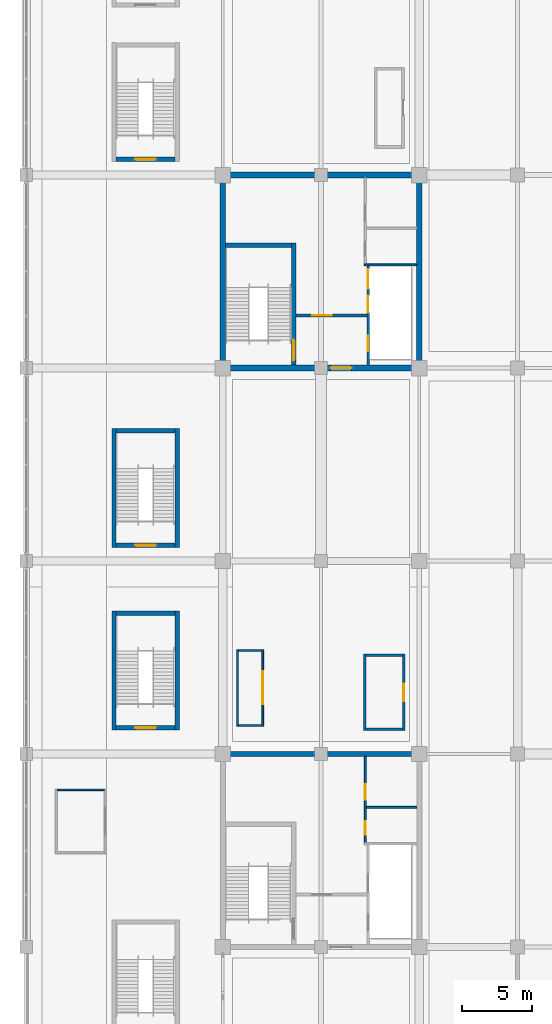
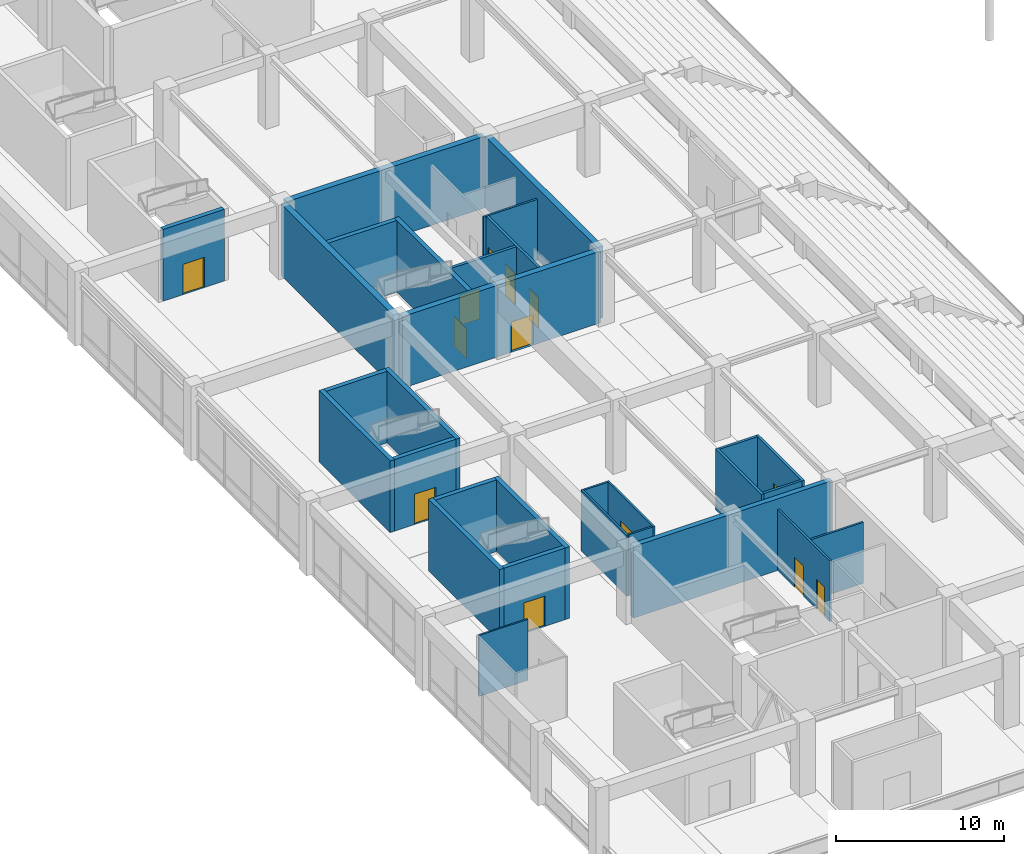
# One storey, part 90 of 117: 30 walls, 13 doors, 13 openings.
"""IFC4 building model written with IfcOpenShell, lengths in metres."""

from ifc_helpers import new_model, si_unit, direction, frame, frame_2d, origin, place, context, subcontext, project, spatial, rectangle, extrude, material, layer, layer_set, type_object, element, fill, save


model = new_model("IFC4")

# Units and contexts
model_context = context("Model", 3, precision=1e-05, world=origin(), true_north=direction((0.0, 1.0)))
body_context = subcontext(model_context, "Body", "Model", "MODEL_VIEW")
ifc_project = project(units=[si_unit("LENGTHUNIT", "METRE"), si_unit("AREAUNIT", "SQUARE_METRE"), si_unit("VOLUMEUNIT", "CUBIC_METRE"), si_unit("PLANEANGLEUNIT", "RADIAN"), si_unit("MASSUNIT", "GRAM", prefix="KILO")], contexts=[model_context])

# Site, building, storey
site_placement = place(None, origin())
site = spatial("IfcSite", under=ifc_project, at=site_placement, CompositionType="ELEMENT")
building_placement = place(site_placement, origin())
building = spatial("IfcBuilding", under=site, at=building_placement, Name="Linyun Crest Stadium", CompositionType="ELEMENT")
storey_placement = place(building_placement, frame((0.0, 0.0, 6.0)))
storey = spatial("IfcBuildingStorey", under=building, at=storey_placement, Name="L02", CompositionType="ELEMENT", Elevation=6.0)

# Walls
ifc_material_1 = material(Name="Concrete C50", Category="concrete")
ifc_layer_1 = layer(ifc_material_1, 0.35009765625)
ifc_layer_set_1 = layer_set([ifc_layer_1], Name="Concrete C50")
wall_type_1 = type_object("IfcWallType", Name="CW01", PredefinedType="SHEAR", material=ifc_layer_set_1)
wall_1_placement = place(storey_placement, frame((-83.824951171875, -25.375, 0.0), z_axis=(0.0, 0.0, 1.0), x_axis=(1.0, 0.0, 0.0)))
element("IfcWall", 1, at=wall_1_placement, inside=storey, type_object=wall_type_1, Name="Core shear wall CW01 CORE-W1 L02.4", PredefinedType="SHEAR", context=body_context, shape_type="SweptSolid", body=[
    extrude(rectangle(XDim=13.64990234375, YDim=0.35009765625, at=frame_2d((6.824951171875, 0.0))), origin(), (0.0, 0.0, 1.0), 5.199951171875),
])
ifc_material_2 = material(Name="Concrete C50", Category="concrete")
ifc_layer_2 = layer(ifc_material_2, 0.39990234375)
ifc_layer_set_2 = layer_set([ifc_layer_2], Name="Concrete C50")
wall_type_2 = type_object("IfcWallType", Name="CW02", PredefinedType="SHEAR", material=ifc_layer_set_2)
for number, where, z_axis, x_axis, name in (
    (2, (-84.0, 2.324951171875, 0.0), (0.0, 0.0, 1.0), (0.0, 1.0, 0.0), "Core shear wall CW02 CORE-W2 L02.1"),
    (3, (-70.0, 2.324951171875, 0.0), (0.0, 0.0, 1.0), (0.0, 1.0, 0.0), "Core shear wall CW02 CORE-W2 L02.2"),
):
    element("IfcWall", number, at=place(storey_placement, frame(where, z_axis=z_axis, x_axis=x_axis)), inside=storey, type_object=wall_type_2, Name=name, PredefinedType="SHEAR", context=body_context, shape_type="SweptSolid", body=[
        extrude(rectangle(XDim=13.35009765625, YDim=0.39990234375, at=frame_2d((6.675048828125, 0.0))), origin(), (0.0, 0.0, 1.0), 5.199951171875),
    ])

# Wall, opening, door
wall_2_placement = place(storey_placement, frame((-83.800048828125, 2.125, 0.0), z_axis=(0.0, 0.0, 1.0), x_axis=(1.0, 0.0, 0.0)))
wall_2 = element("IfcWall", 4, at=wall_2_placement, inside=storey, type_object=wall_type_2, Name="Core shear wall CW02 CORE-W2 L02.3", PredefinedType="SHEAR", context=body_context, shape_type="SweptSolid", body=[
    extrude(rectangle(XDim=13.60009765625, YDim=0.39990234375, at=frame_2d((6.800048828125, 0.0))), origin(), (0.0, 0.0, 1.0), 5.199951171875),
])
opening_1_placement = place(wall_2_placement, frame((7.47998046875, 0.0, 0.0)))
opening_1 = element("IfcOpeningElement", 5, at=opening_1_placement, cuts=wall_2, Name="Opening D-L02-066", PredefinedType="OPENING", context=body_context, shape_type="SweptSolid", body=[
    extrude(rectangle(XDim=1.5, YDim=2.199951171875, at=frame_2d((0.75, 1.10009765625))), frame((0.0, 0.2099609375, 0.0), z_axis=(0.0, -1.0, 0.0), x_axis=(1.0, 0.0, 0.0)), (0.0, 0.0, 1.0), 0.419921875),
])
ifc_material_3 = material(Name="Galvanized steel Class A fire door", Category="steel")
ifc_layer_3 = layer(ifc_material_3, 0.054931640625)
ifc_layer_set_3 = layer_set([ifc_layer_3], Name="Galvanized steel Class A fire door")
door_type_1 = type_object("IfcDoorType", Name="FD01", OperationType="NOTDEFINED", PredefinedType="DOOR", material=ifc_layer_set_3)
door_1_placement = place(opening_1_placement, origin())
door_1 = element("IfcDoor", 6, at=door_1_placement, inside=storey, type_object=door_type_1, Name="Door D-L02-066", OperationType="SINGLE_SWING_RIGHT", OverallHeight=2.199951171875, OverallWidth=1.5, PredefinedType="DOOR", context=body_context, shape_type="SweptSolid", body=[
    extrude(rectangle(XDim=1.5, YDim=2.199951171875, at=frame_2d((0.75, 1.10009765625))), frame((0.0, 0.02490234375, 0.0), z_axis=(0.0, -1.0, 0.0), x_axis=(1.0, 0.0, 0.0)), (0.0, 0.0, 1.0), 0.050048828125),
])
fill(opening_1, door_1)

# Wall
wall_3_placement = place(storey_placement, frame((-83.800048828125, 15.875, 0.0), z_axis=(0.0, 0.0, 1.0), x_axis=(1.0, 0.0, 0.0)))
element("IfcWall", 7, at=wall_3_placement, inside=storey, type_object=wall_type_2, Name="Core shear wall CW02 CORE-W2 L02.4", PredefinedType="SHEAR", context=body_context, shape_type="SweptSolid", body=[
    extrude(rectangle(XDim=13.60009765625, YDim=0.39990234375, at=frame_2d((6.800048828125, 0.0))), origin(), (0.0, 0.0, 1.0), 5.199951171875),
])

# Wall, opening, door
ifc_material_4 = material(Name="Autoclaved aerated concrete block with fireboard", Category="concrete")
ifc_layer_4 = layer(ifc_material_4, 0.199951171875)
ifc_layer_set_4 = layer_set([ifc_layer_4], Name="Autoclaved aerated concrete block with fireboard")
wall_type_3 = type_object("IfcWallType", Name="PW11", PredefinedType="PARTITIONING", material=ifc_layer_set_4)
wall_4_placement = place(storey_placement, frame((-78.800048828125, 5.875, 0.0), z_axis=(0.0, 0.0, 1.0), x_axis=(1.0, 0.0, 0.0)))
wall_4 = element("IfcWall", 8, at=wall_4_placement, inside=storey, type_object=wall_type_3, Name="Partition PW11 L02 28", PredefinedType="PARTITIONING", context=body_context, shape_type="SweptSolid", body=[
    extrude(rectangle(XDim=5.06005859375, YDim=0.199951171875, at=frame_2d((2.530029296875, 0.0))), origin(), (0.0, 0.0, 1.0), 4.419921875),
])
opening_2_placement = place(wall_4_placement, frame((1.169921875, 0.0, 0.0)))
opening_2 = element("IfcOpeningElement", 9, at=opening_2_placement, cuts=wall_4, Name="Opening D-L02-068", PredefinedType="OPENING", context=body_context, shape_type="SweptSolid", body=[
    extrude(rectangle(XDim=1.39990234375, YDim=2.199951171875, at=frame_2d((0.699951171875, 1.10009765625))), frame((0.0, 0.10986328125, 0.0), z_axis=(0.0, -1.0, 0.0), x_axis=(1.0, 0.0, 0.0)), (0.0, 0.0, 1.0), 0.219970703125),
])
ifc_material_5 = material(Name="Galvanized steel Class B fire door", Category="steel")
ifc_layer_5 = layer(ifc_material_5, 0.054931640625)
ifc_layer_set_5 = layer_set([ifc_layer_5], Name="Galvanized steel Class B fire door")
door_type_2 = type_object("IfcDoorType", Name="FD03", OperationType="NOTDEFINED", PredefinedType="DOOR", material=ifc_layer_set_5)
door_2_placement = place(opening_2_placement, origin())
door_2 = element("IfcDoor", 10, at=door_2_placement, inside=storey, type_object=door_type_2, Name="Door D-L02-068", OperationType="SINGLE_SWING_RIGHT", OverallHeight=2.199951171875, OverallWidth=1.39990234375, PredefinedType="DOOR", context=body_context, shape_type="SweptSolid", body=[
    extrude(rectangle(XDim=1.39990234375, YDim=2.199951171875, at=frame_2d((0.699951171875, 1.10009765625))), frame((0.0, 0.02490234375, 0.0), z_axis=(0.0, -1.0, 0.0), x_axis=(1.0, 0.0, 0.0)), (0.0, 0.0, 1.0), 0.050048828125),
])
fill(opening_2, door_2)

# Wall, openings, doors
ifc_material_6 = material(Name="Autoclaved aerated concrete block fire partition", Category="concrete")
ifc_layer_6 = layer(ifc_material_6, 0.179931640625)
ifc_layer_set_6 = layer_set([ifc_layer_6], Name="Autoclaved aerated concrete block fire partition")
wall_type_4 = type_object("IfcWallType", Name="PW12", PredefinedType="PARTITIONING", material=ifc_layer_set_6)
wall_5_placement = place(storey_placement, frame((-73.64990234375, 2.324951171875, 0.0), z_axis=(0.0, 0.0, 1.0), x_axis=(0.0, 1.0, 0.0)))
wall_5 = element("IfcWall", 11, at=wall_5_placement, inside=storey, type_object=wall_type_4, Name="Partition PW12 L02 29", PredefinedType="PARTITIONING", context=body_context, shape_type="SweptSolid", body=[
    extrude(rectangle(XDim=7.080078125, YDim=0.179931640625, at=frame_2d((3.5400390625, 0.0))), origin(), (0.0, 0.0, 1.0), 4.419921875),
])
opening_3_placement = place(wall_5_placement, frame((1.0, 0.0, 0.0)))
opening_3 = element("IfcOpeningElement", 12, at=opening_3_placement, cuts=wall_5, Name="Opening LD021", PredefinedType="OPENING", context=body_context, shape_type="SweptSolid", body=[
    extrude(rectangle(XDim=1.10009765625, YDim=2.199951171875, at=frame_2d((0.550048828125, 1.10009765625))), frame((0.0, 0.099853515625, 0.0), z_axis=(0.0, -1.0, 0.0), x_axis=(1.0, 0.0, 0.0)), (0.0, 0.0, 1.0), 0.199951171875),
])
opening_4_placement = place(wall_5_placement, frame((3.75, 0.0, 0.0)))
opening_4 = element("IfcOpeningElement", 13, at=opening_4_placement, cuts=wall_5, Name="Opening LD022", PredefinedType="OPENING", context=body_context, shape_type="SweptSolid", body=[
    extrude(rectangle(XDim=1.199951171875, YDim=2.25, at=frame_2d((0.60009765625, 1.125))), frame((0.0, 0.099853515625, 0.0), z_axis=(0.0, -1.0, 0.0), x_axis=(1.0, 0.0, 0.0)), (0.0, 0.0, 1.0), 0.199951171875),
])
opening_5_placement = place(wall_5_placement, frame((5.449951171875, 0.0, 0.0)))
opening_5 = element("IfcOpeningElement", 14, at=opening_5_placement, cuts=wall_5, Name="Opening LD023", PredefinedType="OPENING", context=body_context, shape_type="SweptSolid", body=[
    extrude(rectangle(XDim=1.39990234375, YDim=2.300048828125, at=frame_2d((0.699951171875, 1.14990234375))), frame((0.0, 0.099853515625, 0.0), z_axis=(0.0, -1.0, 0.0), x_axis=(1.0, 0.0, 0.0)), (0.0, 0.0, 1.0), 0.199951171875),
])
ifc_material_7 = material(Name="Brushed stainless sliding lift door")
ifc_layer_7 = layer(ifc_material_7, 0.050048828125)
ifc_layer_set_7 = layer_set([ifc_layer_7], Name="Brushed stainless sliding lift door")
door_type_3 = type_object("IfcDoorType", Name="LD01", OperationType="NOTDEFINED", PredefinedType="DOOR", material=ifc_layer_set_7)
door_3_placement = place(opening_3_placement, origin())
door_3 = element("IfcDoor", 15, at=door_3_placement, inside=storey, type_object=door_type_3, Name="Lift landing door LD021", OperationType="DOUBLE_DOOR_SLIDING", OverallHeight=2.199951171875, OverallWidth=1.10009765625, PredefinedType="DOOR", context=body_context, shape_type="SweptSolid", body=[
    extrude(rectangle(XDim=1.10009765625, YDim=2.199951171875, at=frame_2d((0.550048828125, 1.10009765625))), frame((0.0, 0.02490234375, 0.0), z_axis=(0.0, -1.0, 0.0), x_axis=(1.0, 0.0, 0.0)), (0.0, 0.0, 1.0), 0.050048828125),
])
fill(opening_3, door_3)
ifc_material_8 = material(Name="Brushed stainless sliding lift door")
ifc_layer_8 = layer(ifc_material_8, 0.050048828125)
ifc_layer_set_8 = layer_set([ifc_layer_8], Name="Brushed stainless sliding lift door")
door_type_4 = type_object("IfcDoorType", Name="LD02", OperationType="NOTDEFINED", PredefinedType="DOOR", material=ifc_layer_set_8)
door_4_placement = place(opening_4_placement, origin())
door_4 = element("IfcDoor", 16, at=door_4_placement, inside=storey, type_object=door_type_4, Name="Lift landing door LD022", OperationType="DOUBLE_DOOR_SLIDING", OverallHeight=2.25, OverallWidth=1.199951171875, PredefinedType="DOOR", context=body_context, shape_type="SweptSolid", body=[
    extrude(rectangle(XDim=1.199951171875, YDim=2.25, at=frame_2d((0.60009765625, 1.125))), frame((0.0, 0.02490234375, 0.0), z_axis=(0.0, -1.0, 0.0), x_axis=(1.0, 0.0, 0.0)), (0.0, 0.0, 1.0), 0.050048828125),
])
fill(opening_4, door_4)
ifc_material_9 = material(Name="Heavy-duty stainless sliding door")
ifc_layer_9 = layer(ifc_material_9, 0.054931640625)
ifc_layer_set_9 = layer_set([ifc_layer_9], Name="Heavy-duty stainless sliding door")
door_type_5 = type_object("IfcDoorType", Name="LD03", OperationType="NOTDEFINED", PredefinedType="DOOR", material=ifc_layer_set_9)
door_5_placement = place(opening_5_placement, origin())
door_5 = element("IfcDoor", 17, at=door_5_placement, inside=storey, type_object=door_type_5, Name="Lift landing door LD023", OperationType="DOUBLE_DOOR_SLIDING", OverallHeight=2.300048828125, OverallWidth=1.39990234375, PredefinedType="DOOR", context=body_context, shape_type="SweptSolid", body=[
    extrude(rectangle(XDim=1.39990234375, YDim=2.300048828125, at=frame_2d((0.699951171875, 1.14990234375))), frame((0.0, 0.02490234375, 0.0), z_axis=(0.0, -1.0, 0.0), x_axis=(1.0, 0.0, 0.0)), (0.0, 0.0, 1.0), 0.050048828125),
])
fill(opening_5, door_5)

ifc_material_10 = material(Name="Moisture-resistant ceramic-tiled wet-room wall")
ifc_layer_10 = layer(ifc_material_10, 0.139892578125)
ifc_layer_set_10 = layer_set([ifc_layer_10], Name="Moisture-resistant ceramic-tiled wet-room wall")
wall_type_5 = type_object("IfcWallType", Name="PW15", PredefinedType="PARTITIONING", material=ifc_layer_set_10)
wall_6_placement = place(storey_placement, frame((-73.85009765625, -31.705078125, 0.0), z_axis=(0.0, 0.0, 1.0), x_axis=(0.0, 1.0, 0.0)))
wall_6 = element("IfcWall", 18, at=wall_6_placement, inside=storey, type_object=wall_type_5, Name="Partition PW15 L02 9", PredefinedType="PARTITIONING", context=body_context, shape_type="SweptSolid", body=[
    extrude(rectangle(XDim=6.155029296875, YDim=0.139892578125, at=frame_2d((3.07763671875, 0.0))), origin(), (0.0, 0.0, 1.0), 4.419921875),
])
opening_6_placement = place(wall_6_placement, frame((0.580078125, 0.0, 0.0)))
opening_6 = element("IfcOpeningElement", 19, at=opening_6_placement, cuts=wall_6, Name="Opening D-L02-020", PredefinedType="OPENING", context=body_context, shape_type="SweptSolid", body=[
    extrude(rectangle(XDim=0.949951171875, YDim=2.14990234375, at=frame_2d((0.47509765625, 1.074951171875))), frame((0.0, 0.079833984375, 0.0), z_axis=(0.0, -1.0, 0.0), x_axis=(1.0, 0.0, 0.0)), (0.0, 0.0, 1.0), 0.159912109375),
])
opening_7_placement = place(wall_6_placement, frame((3.080078125, 0.0, 0.0)))
opening_7 = element("IfcOpeningElement", 20, at=opening_7_placement, cuts=wall_6, Name="Opening D-L02-021", PredefinedType="OPENING", context=body_context, shape_type="SweptSolid", body=[
    extrude(rectangle(XDim=1.10009765625, YDim=2.14990234375, at=frame_2d((0.550048828125, 1.074951171875))), frame((0.0, 0.079833984375, 0.0), z_axis=(0.0, -1.0, 0.0), x_axis=(1.0, 0.0, 0.0)), (0.0, 0.0, 1.0), 0.159912109375),
])
ifc_material_11 = material(Name="Moisture-resistant laminate leaf")
ifc_layer_11 = layer(ifc_material_11, 0.044921875)
ifc_layer_set_11 = layer_set([ifc_layer_11], Name="Moisture-resistant laminate leaf")
door_type_6 = type_object("IfcDoorType", Name="ID02", OperationType="NOTDEFINED", PredefinedType="DOOR", material=ifc_layer_set_11)
door_6_placement = place(opening_6_placement, origin())
door_6 = element("IfcDoor", 21, at=door_6_placement, inside=storey, type_object=door_type_6, Name="Door D-L02-020", OperationType="SINGLE_SWING_RIGHT", OverallHeight=2.14990234375, OverallWidth=0.949951171875, PredefinedType="DOOR", context=body_context, shape_type="SweptSolid", body=[
    extrude(rectangle(XDim=0.949951171875, YDim=2.14990234375, at=frame_2d((0.47509765625, 1.074951171875))), frame((0.0, 0.02490234375, 0.0), z_axis=(0.0, -1.0, 0.0), x_axis=(1.0, 0.0, 0.0)), (0.0, 0.0, 1.0), 0.050048828125),
])
fill(opening_6, door_6)
ifc_material_12 = material(Name="Moisture-resistant laminate leaf")
ifc_layer_12 = layer(ifc_material_12, 0.044921875)
ifc_layer_set_12 = layer_set([ifc_layer_12], Name="Moisture-resistant laminate leaf")
door_type_7 = type_object("IfcDoorType", Name="ID03", OperationType="NOTDEFINED", PredefinedType="DOOR", material=ifc_layer_set_12)
door_7_placement = place(opening_7_placement, origin())
door_7 = element("IfcDoor", 22, at=door_7_placement, inside=storey, type_object=door_type_7, Name="Door D-L02-021", OperationType="SINGLE_SWING_LEFT", OverallHeight=2.14990234375, OverallWidth=1.10009765625, PredefinedType="DOOR", context=body_context, shape_type="SweptSolid", body=[
    extrude(rectangle(XDim=1.10009765625, YDim=2.14990234375, at=frame_2d((0.550048828125, 1.074951171875))), frame((0.0, 0.02490234375, 0.0), z_axis=(0.0, -1.0, 0.0), x_axis=(1.0, 0.0, 0.0)), (0.0, 0.0, 1.0), 0.050048828125),
])
fill(opening_7, door_7)

# Walls
wall_7_placement = place(storey_placement, frame((-73.780029296875, -29.175048828125, 0.0), z_axis=(0.0, 0.0, 1.0), x_axis=(1.0, 0.0, 0.0)))
element("IfcWall", 23, at=wall_7_placement, inside=storey, type_object=wall_type_5, Name="Enclosure partition PW15 L02 6", PredefinedType="PARTITIONING", context=body_context, shape_type="SweptSolid", body=[
    extrude(rectangle(XDim=3.60498046875, YDim=0.139892578125, at=frame_2d((1.802490234375, 0.0))), origin(), (0.0, 0.0, 1.0), 4.419921875),
])
wall_8_placement = place(storey_placement, frame((-73.919921875, 9.47509765625, 0.0), z_axis=(0.0, 0.0, 1.0), x_axis=(1.0, 0.0, 0.0)))
element("IfcWall", 24, at=wall_8_placement, inside=storey, type_object=wall_type_5, Name="Enclosure partition PW15 L02 19", PredefinedType="PARTITIONING", context=body_context, shape_type="SweptSolid", body=[
    extrude(rectangle(XDim=3.719970703125, YDim=0.139892578125, at=frame_2d((1.85986328125, 0.0))), origin(), (0.0, 0.0, 1.0), 4.419921875),
])

# Wall, opening, door
ifc_material_13 = material(Name="Steel-stud hospitality suite partition", Category="steel")
ifc_layer_13 = layer(ifc_material_13, 0.125)
ifc_layer_set_13 = layer_set([ifc_layer_13], Name="Steel-stud hospitality suite partition")
wall_type_6 = type_object("IfcWallType", Name="PW17", PredefinedType="PARTITIONING", material=ifc_layer_set_13)
wall_9_placement = place(storey_placement, frame((-81.160888671875, -17.930908203125, 0.0), z_axis=(0.0, 0.0, 1.0), x_axis=(0.0, -1.0, 0.0)))
wall_9 = element("IfcWall", 25, at=wall_9_placement, inside=storey, type_object=wall_type_6, Name="Partition PW17 L02 254", PredefinedType="PARTITIONING", context=body_context, shape_type="SweptSolid", body=[
    extrude(rectangle(XDim=5.469970703125, YDim=0.125, at=frame_2d((2.73486328125, 0.0))), origin(), (0.0, 0.0, 1.0), 4.419921875),
])
opening_8_placement = place(wall_9_placement, frame((1.56005859375, 0.0, 0.0)))
opening_8 = element("IfcOpeningElement", 26, at=opening_8_placement, cuts=wall_9, Name="Opening D-L02-517", PredefinedType="OPENING", context=body_context, shape_type="SweptSolid", body=[
    extrude(rectangle(XDim=2.35009765625, YDim=2.5, at=frame_2d((1.175048828125, 1.25))), frame((0.0, 0.072509765625, 0.0), z_axis=(0.0, -1.0, 0.0), x_axis=(1.0, 0.0, 0.0)), (0.0, 0.0, 1.0), 0.14501953125),
])
ifc_material_14 = material(Name="Wide impact-resistant double leaf")
ifc_layer_14 = layer(ifc_material_14, 0.054931640625)
ifc_layer_set_14 = layer_set([ifc_layer_14], Name="Wide impact-resistant double leaf")
door_type_8 = type_object("IfcDoorType", Name="ID14", OperationType="NOTDEFINED", PredefinedType="DOOR", material=ifc_layer_set_14)
door_8_placement = place(opening_8_placement, origin())
door_8 = element("IfcDoor", 27, at=door_8_placement, inside=storey, type_object=door_type_8, Name="Door D-L02-517", OperationType="DOUBLE_DOOR_SINGLE_SWING", OverallHeight=2.5, OverallWidth=2.35009765625, PredefinedType="DOOR", context=body_context, shape_type="SweptSolid", body=[
    extrude(rectangle(XDim=2.35009765625, YDim=2.5, at=frame_2d((1.175048828125, 1.25))), frame((0.0, 0.02490234375, 0.0), z_axis=(0.0, -1.0, 0.0), x_axis=(1.0, 0.0, 0.0)), (0.0, 0.0, 1.0), 0.050048828125),
])
fill(opening_8, door_8)

# Walls
wall_10_placement = place(storey_placement, frame((-82.9609375, -23.40087890625, 0.0), z_axis=(0.0, 0.0, 1.0), x_axis=(0.0, 1.0, 0.0)))
element("IfcWall", 28, at=wall_10_placement, inside=storey, type_object=wall_type_6, Name="Enclosure partition PW17 L02 478", PredefinedType="PARTITIONING", context=body_context, shape_type="SweptSolid", body=[
    extrude(rectangle(XDim=5.469970703125, YDim=0.125, at=frame_2d((2.73486328125, 0.0))), origin(), (0.0, 0.0, 1.0), 4.419921875),
])
for number, where, z_axis, x_axis, name in (
    (29, (-82.89794921875, -23.337890625, 0.0), (0.0, 0.0, 1.0), (1.0, 0.0, 0.0), "Enclosure partition PW17 L02 479"),
    (30, (-82.89794921875, -17.993896484375, 0.0), (0.0, 0.0, 1.0), (1.0, 0.0, 0.0), "Enclosure partition PW17 L02 480"),
):
    element("IfcWall", number, at=place(storey_placement, frame(where, z_axis=z_axis, x_axis=x_axis)), inside=storey, type_object=wall_type_6, Name=name, PredefinedType="PARTITIONING", context=body_context, shape_type="SweptSolid", body=[
        extrude(rectangle(XDim=1.673828125, YDim=0.125, at=frame_2d((0.8369140625, 0.0))), origin(), (0.0, 0.0, 1.0), 4.419921875),
    ])
ifc_material_15 = material(Name="Glazed hospitality salon screen partition")
ifc_layer_15 = layer(ifc_material_15, 0.114990234375)
ifc_layer_set_15 = layer_set([ifc_layer_15], Name="Glazed hospitality salon screen partition")
wall_type_7 = type_object("IfcWallType", Name="PW21", PredefinedType="PARTITIONING", material=ifc_layer_set_15)
wall_11_placement = place(storey_placement, frame((-95.80908203125, -27.926025390625, 0.0), z_axis=(0.0, 0.0, 1.0), x_axis=(1.0, 0.0, 0.0)))
element("IfcWall", 31, at=wall_11_placement, inside=storey, type_object=wall_type_7, Name="Enclosure partition PW21 L02 261", PredefinedType="PARTITIONING", context=body_context, shape_type="SweptSolid", body=[
    extrude(rectangle(XDim=3.364013671875, YDim=0.114990234375, at=frame_2d((1.68212890625, 0.0))), origin(), (0.0, 0.0, 1.0), 4.419921875),
])

# Wall, opening, door
ifc_material_16 = material(Name="Concourse concession fire-rated masonry wall", Category="masonry")
ifc_layer_16 = layer(ifc_material_16, 0.175048828125)
ifc_layer_set_16 = layer_set([ifc_layer_16], Name="Concourse concession fire-rated masonry wall")
wall_type_8 = type_object("IfcWallType", Name="PW24", PredefinedType="PARTITIONING", material=ifc_layer_set_16)
wall_12_placement = place(storey_placement, frame((-71.112060546875, -18.241943359375, 0.0), z_axis=(0.0, 0.0, 1.0), x_axis=(0.0, -1.0, 0.0)))
wall_12 = element("IfcWall", 32, at=wall_12_placement, inside=storey, type_object=wall_type_8, Name="Partition PW24 L02 184", PredefinedType="PARTITIONING", context=body_context, shape_type="SweptSolid", body=[
    extrude(rectangle(XDim=5.469970703125, YDim=0.175048828125, at=frame_2d((2.73486328125, 0.0))), origin(), (0.0, 0.0, 1.0), 4.419921875),
])
opening_9_placement = place(wall_12_placement, frame((2.110107421875, 0.0, 0.0)))
opening_9 = element("IfcOpeningElement", 33, at=opening_9_placement, cuts=wall_12, Name="Opening D-L02-447", PredefinedType="OPENING", context=body_context, shape_type="SweptSolid", body=[
    extrude(rectangle(XDim=1.25, YDim=2.199951171875, at=frame_2d((0.625, 1.10009765625))), frame((0.0, 0.097412109375, 0.0), z_axis=(0.0, -1.0, 0.0), x_axis=(1.0, 0.0, 0.0)), (0.0, 0.0, 1.0), 0.195068359375),
])
ifc_material_17 = material(Name="Solid-core timber acoustic door", Category="wood")
ifc_layer_17 = layer(ifc_material_17, 0.050048828125)
ifc_layer_set_17 = layer_set([ifc_layer_17], Name="Solid-core timber acoustic door")
door_type_9 = type_object("IfcDoorType", Name="ID04", OperationType="NOTDEFINED", PredefinedType="DOOR", material=ifc_layer_set_17)
door_9_placement = place(opening_9_placement, origin())
door_9 = element("IfcDoor", 34, at=door_9_placement, inside=storey, type_object=door_type_9, Name="Door D-L02-447", OperationType="SINGLE_SWING_LEFT", OverallHeight=2.199951171875, OverallWidth=1.25, PredefinedType="DOOR", context=body_context, shape_type="SweptSolid", body=[
    extrude(rectangle(XDim=1.25, YDim=2.199951171875, at=frame_2d((0.625, 1.10009765625))), frame((0.0, 0.02490234375, 0.0), z_axis=(0.0, -1.0, 0.0), x_axis=(1.0, 0.0, 0.0)), (0.0, 0.0, 1.0), 0.050048828125),
])
fill(opening_9, door_9)

# Walls
wall_13_placement = place(storey_placement, frame((-73.89208984375, -23.7119140625, 0.0), z_axis=(0.0, 0.0, 1.0), x_axis=(0.0, 1.0, 0.0)))
element("IfcWall", 35, at=wall_13_placement, inside=storey, type_object=wall_type_8, Name="Enclosure partition PW24 L02 268", PredefinedType="PARTITIONING", context=body_context, shape_type="SweptSolid", body=[
    extrude(rectangle(XDim=5.469970703125, YDim=0.175048828125, at=frame_2d((2.73486328125, 0.0))), origin(), (0.0, 0.0, 1.0), 4.419921875),
])
for number, where, z_axis, x_axis, name in (
    (36, (-73.803955078125, -23.6240234375, 0.0), (0.0, 0.0, 1.0), (1.0, 0.0, 0.0), "Enclosure partition PW24 L02 269"),
    (37, (-73.803955078125, -18.330078125, 0.0), (0.0, 0.0, 1.0), (1.0, 0.0, 0.0), "Enclosure partition PW24 L02 270"),
):
    element("IfcWall", number, at=place(storey_placement, frame(where, z_axis=z_axis, x_axis=x_axis)), inside=storey, type_object=wall_type_8, Name=name, PredefinedType="PARTITIONING", context=body_context, shape_type="SweptSolid", body=[
        extrude(rectangle(XDim=2.60400390625, YDim=0.175048828125, at=frame_2d((1.302001953125, 0.0))), origin(), (0.0, 0.0, 1.0), 4.419921875),
    ])

# Wall, opening, door
ifc_material_18 = material(Name="Concrete C50", Category="concrete")
ifc_layer_18 = layer(ifc_material_18, 0.300048828125)
ifc_layer_set_18 = layer_set([ifc_layer_18], Name="Concrete C50")
wall_type_9 = type_object("IfcWallType", Name="SW01", PredefinedType="SHEAR", material=ifc_layer_set_18)
wall_14_placement = place(storey_placement, frame((-78.949951171875, 2.324951171875, 0.0), z_axis=(0.0, 0.0, 1.0), x_axis=(0.0, 1.0, 0.0)))
wall_14 = element("IfcWall", 38, at=wall_14_placement, inside=storey, type_object=wall_type_9, Name="Core stair east bearing wall SW01 2 L02", PredefinedType="SHEAR", context=body_context, shape_type="SweptSolid", body=[
    extrude(rectangle(XDim=8.699951171875, YDim=0.300048828125, at=frame_2d((4.35009765625, 0.0))), origin(), (0.0, 0.0, 1.0), 5.199951171875),
])
opening_10_placement = place(wall_14_placement, frame((0.3701171875, 0.0, 0.0)))
opening_10 = element("IfcOpeningElement", 39, at=opening_10_placement, cuts=wall_14, Name="Opening D-L02-067", PredefinedType="OPENING", context=body_context, shape_type="SweptSolid", body=[
    extrude(rectangle(XDim=1.449951171875, YDim=2.199951171875, at=frame_2d((0.72509765625, 1.10009765625))), frame((0.0, 0.159912109375, 0.0), z_axis=(0.0, -1.0, 0.0), x_axis=(1.0, 0.0, 0.0)), (0.0, 0.0, 1.0), 0.320068359375),
])
ifc_material_19 = material(Name="Galvanized steel Class A fire door", Category="steel")
ifc_layer_19 = layer(ifc_material_19, 0.054931640625)
ifc_layer_set_19 = layer_set([ifc_layer_19], Name="Galvanized steel Class A fire door")
door_type_10 = type_object("IfcDoorType", Name="FD02", OperationType="NOTDEFINED", PredefinedType="DOOR", material=ifc_layer_set_19)
door_10_placement = place(opening_10_placement, origin())
door_10 = element("IfcDoor", 40, at=door_10_placement, inside=storey, type_object=door_type_10, Name="Door D-L02-067", OperationType="SINGLE_SWING_LEFT", OverallHeight=2.199951171875, OverallWidth=1.449951171875, PredefinedType="DOOR", context=body_context, shape_type="SweptSolid", body=[
    extrude(rectangle(XDim=1.449951171875, YDim=2.199951171875, at=frame_2d((0.72509765625, 1.10009765625))), frame((0.0, 0.02490234375, 0.0), z_axis=(0.0, -1.0, 0.0), x_axis=(1.0, 0.0, 0.0)), (0.0, 0.0, 1.0), 0.050048828125),
])
fill(opening_10, door_10)

# Wall
wall_15_placement = place(storey_placement, frame((-83.800048828125, 10.875, 0.0), z_axis=(0.0, 0.0, 1.0), x_axis=(1.0, 0.0, 0.0)))
element("IfcWall", 41, at=wall_15_placement, inside=storey, type_object=wall_type_9, Name="Core stair bearing wall SW01 2 L02", PredefinedType="SHEAR", context=body_context, shape_type="SweptSolid", body=[
    extrude(rectangle(XDim=4.699951171875, YDim=0.300048828125, at=frame_2d((2.35009765625, 0.0))), origin(), (0.0, 0.0, 1.0), 5.199951171875),
])

# Wall, opening, door
wall_16_placement = place(storey_placement, frame((-91.60009765625, -23.5, 0.0), z_axis=(0.0, 0.0, 1.0), x_axis=(1.0, 0.0, 0.0)))
wall_16 = element("IfcWall", 42, at=wall_16_placement, inside=storey, type_object=wall_type_9, Name="Stair shaft wall SW01 STR-14 L02 S", PredefinedType="SHEAR", context=body_context, shape_type="SweptSolid", body=[
    extrude(rectangle(XDim=4.2001953125, YDim=0.300048828125, at=frame_2d((2.10009765625, 0.0))), origin(), (0.0, 0.0, 1.0), 5.199951171875),
])
opening_11_placement = place(wall_16_placement, frame((1.375, 0.0, 0.0)))
opening_11 = element("IfcOpeningElement", 43, at=opening_11_placement, cuts=wall_16, Name="Opening D-L02-547", PredefinedType="OPENING", context=body_context, shape_type="SweptSolid", body=[
    extrude(rectangle(XDim=1.449951171875, YDim=2.199951171875, at=frame_2d((0.72509765625, 1.10009765625))), frame((0.0, 0.159912109375, 0.0), z_axis=(0.0, -1.0, 0.0), x_axis=(1.0, 0.0, 0.0)), (0.0, 0.0, 1.0), 0.320068359375),
])
door_11_placement = place(opening_11_placement, origin())
door_11 = element("IfcDoor", 44, at=door_11_placement, inside=storey, type_object=door_type_10, Name="Door D-L02-547", OperationType="SINGLE_SWING_LEFT", OverallHeight=2.199951171875, OverallWidth=1.449951171875, PredefinedType="DOOR", context=body_context, shape_type="SweptSolid", body=[
    extrude(rectangle(XDim=1.449951171875, YDim=2.199951171875, at=frame_2d((0.72509765625, 1.10009765625))), frame((0.0, 0.02490234375, 0.0), z_axis=(0.0, -1.0, 0.0), x_axis=(1.0, 0.0, 0.0)), (0.0, 0.0, 1.0), 0.050048828125),
])
fill(opening_11, door_11)

# Walls
wall_17_placement = place(storey_placement, frame((-91.60009765625, -15.35009765625, 0.0), z_axis=(0.0, 0.0, 1.0), x_axis=(1.0, 0.0, 0.0)))
element("IfcWall", 45, at=wall_17_placement, inside=storey, type_object=wall_type_9, Name="Stair shaft wall SW01 STR-14 L02 N", PredefinedType="SHEAR", context=body_context, shape_type="SweptSolid", body=[
    extrude(rectangle(XDim=4.2001953125, YDim=0.300048828125, at=frame_2d((2.10009765625, 0.0))), origin(), (0.0, 0.0, 1.0), 5.199951171875),
])
for number, where, z_axis, x_axis, name in (
    (46, (-91.75, -23.64990234375, 0.0), (0.0, 0.0, 1.0), (0.0, 1.0, 0.0), "Stair shaft wall SW01 STR-14 L02 W"),
    (47, (-87.25, -23.64990234375, 0.0), (0.0, 0.0, 1.0), (0.0, 1.0, 0.0), "Stair shaft wall SW01 STR-14 L02 E"),
):
    element("IfcWall", number, at=place(storey_placement, frame(where, z_axis=z_axis, x_axis=x_axis)), inside=storey, type_object=wall_type_9, Name=name, PredefinedType="SHEAR", context=body_context, shape_type="SweptSolid", body=[
        extrude(rectangle(XDim=8.449951171875, YDim=0.300048828125, at=frame_2d((4.22509765625, 0.0))), origin(), (0.0, 0.0, 1.0), 5.199951171875),
    ])

# Wall, opening, door
wall_18_placement = place(storey_placement, frame((-91.60009765625, -10.5, 0.0), z_axis=(0.0, 0.0, 1.0), x_axis=(1.0, 0.0, 0.0)))
wall_18 = element("IfcWall", 48, at=wall_18_placement, inside=storey, type_object=wall_type_9, Name="Stair shaft wall SW01 STR-15 L02 S", PredefinedType="SHEAR", context=body_context, shape_type="SweptSolid", body=[
    extrude(rectangle(XDim=4.2001953125, YDim=0.300048828125, at=frame_2d((2.10009765625, 0.0))), origin(), (0.0, 0.0, 1.0), 5.199951171875),
])
opening_12_placement = place(wall_18_placement, frame((1.375, 0.0, 0.0)))
opening_12 = element("IfcOpeningElement", 49, at=opening_12_placement, cuts=wall_18, Name="Opening D-L02-553", PredefinedType="OPENING", context=body_context, shape_type="SweptSolid", body=[
    extrude(rectangle(XDim=1.449951171875, YDim=2.199951171875, at=frame_2d((0.72509765625, 1.10009765625))), frame((0.0, 0.159912109375, 0.0), z_axis=(0.0, -1.0, 0.0), x_axis=(1.0, 0.0, 0.0)), (0.0, 0.0, 1.0), 0.320068359375),
])
door_12_placement = place(opening_12_placement, origin())
door_12 = element("IfcDoor", 50, at=door_12_placement, inside=storey, type_object=door_type_10, Name="Door D-L02-553", OperationType="SINGLE_SWING_LEFT", OverallHeight=2.199951171875, OverallWidth=1.449951171875, PredefinedType="DOOR", context=body_context, shape_type="SweptSolid", body=[
    extrude(rectangle(XDim=1.449951171875, YDim=2.199951171875, at=frame_2d((0.72509765625, 1.10009765625))), frame((0.0, 0.02490234375, 0.0), z_axis=(0.0, -1.0, 0.0), x_axis=(1.0, 0.0, 0.0)), (0.0, 0.0, 1.0), 0.050048828125),
])
fill(opening_12, door_12)

# Walls
wall_19_placement = place(storey_placement, frame((-91.60009765625, -2.35009765625, 0.0), z_axis=(0.0, 0.0, 1.0), x_axis=(1.0, 0.0, 0.0)))
element("IfcWall", 51, at=wall_19_placement, inside=storey, type_object=wall_type_9, Name="Stair shaft wall SW01 STR-15 L02 N", PredefinedType="SHEAR", context=body_context, shape_type="SweptSolid", body=[
    extrude(rectangle(XDim=4.2001953125, YDim=0.300048828125, at=frame_2d((2.10009765625, 0.0))), origin(), (0.0, 0.0, 1.0), 5.199951171875),
])
for number, where, z_axis, x_axis, name in (
    (52, (-91.75, -10.64990234375, 0.0), (0.0, 0.0, 1.0), (0.0, 1.0, 0.0), "Stair shaft wall SW01 STR-15 L02 W"),
    (53, (-87.25, -10.64990234375, 0.0), (0.0, 0.0, 1.0), (0.0, 1.0, 0.0), "Stair shaft wall SW01 STR-15 L02 E"),
):
    element("IfcWall", number, at=place(storey_placement, frame(where, z_axis=z_axis, x_axis=x_axis)), inside=storey, type_object=wall_type_9, Name=name, PredefinedType="SHEAR", context=body_context, shape_type="SweptSolid", body=[
        extrude(rectangle(XDim=8.449951171875, YDim=0.300048828125, at=frame_2d((4.22509765625, 0.0))), origin(), (0.0, 0.0, 1.0), 5.199951171875),
    ])

# Wall, opening, door
wall_20_placement = place(storey_placement, frame((-91.60009765625, 17.0, 0.0), z_axis=(0.0, 0.0, 1.0), x_axis=(1.0, 0.0, 0.0)))
wall_20 = element("IfcWall", 54, at=wall_20_placement, inside=storey, type_object=wall_type_9, Name="Stair shaft wall SW01 STR-16 L02 S", PredefinedType="SHEAR", context=body_context, shape_type="SweptSolid", body=[
    extrude(rectangle(XDim=4.2001953125, YDim=0.300048828125, at=frame_2d((2.10009765625, 0.0))), origin(), (0.0, 0.0, 1.0), 5.199951171875),
])
opening_13_placement = place(wall_20_placement, frame((1.375, 0.0, 0.0)))
opening_13 = element("IfcOpeningElement", 55, at=opening_13_placement, cuts=wall_20, Name="Opening D-L02-558", PredefinedType="OPENING", context=body_context, shape_type="SweptSolid", body=[
    extrude(rectangle(XDim=1.449951171875, YDim=2.199951171875, at=frame_2d((0.72509765625, 1.10009765625))), frame((0.0, 0.159912109375, 0.0), z_axis=(0.0, -1.0, 0.0), x_axis=(1.0, 0.0, 0.0)), (0.0, 0.0, 1.0), 0.320068359375),
])
door_13_placement = place(opening_13_placement, origin())
door_13 = element("IfcDoor", 56, at=door_13_placement, inside=storey, type_object=door_type_10, Name="Door D-L02-558", OperationType="SINGLE_SWING_RIGHT", OverallHeight=2.199951171875, OverallWidth=1.449951171875, PredefinedType="DOOR", context=body_context, shape_type="SweptSolid", body=[
    extrude(rectangle(XDim=1.449951171875, YDim=2.199951171875, at=frame_2d((0.72509765625, 1.10009765625))), frame((0.0, 0.02490234375, 0.0), z_axis=(0.0, -1.0, 0.0), x_axis=(1.0, 0.0, 0.0)), (0.0, 0.0, 1.0), 0.050048828125),
])
fill(opening_13, door_13)

save(model, "model.ifc")
